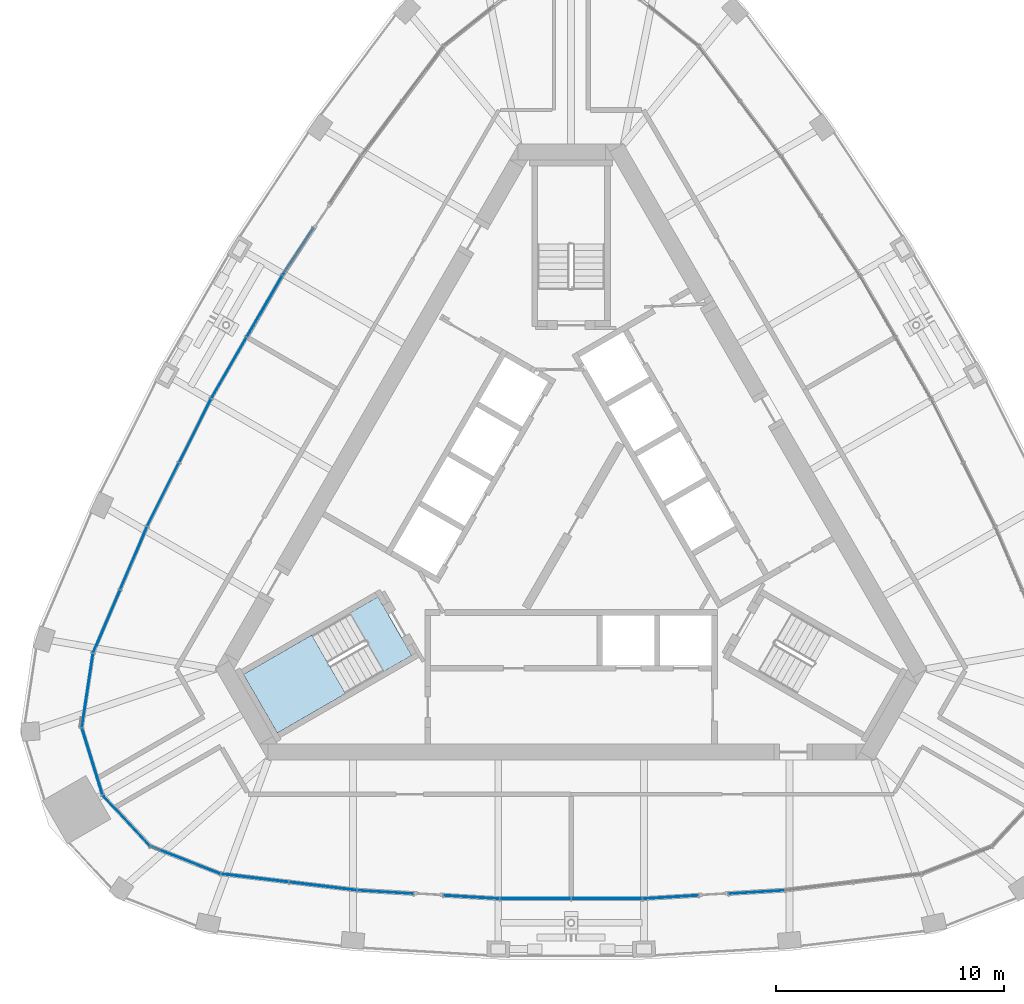
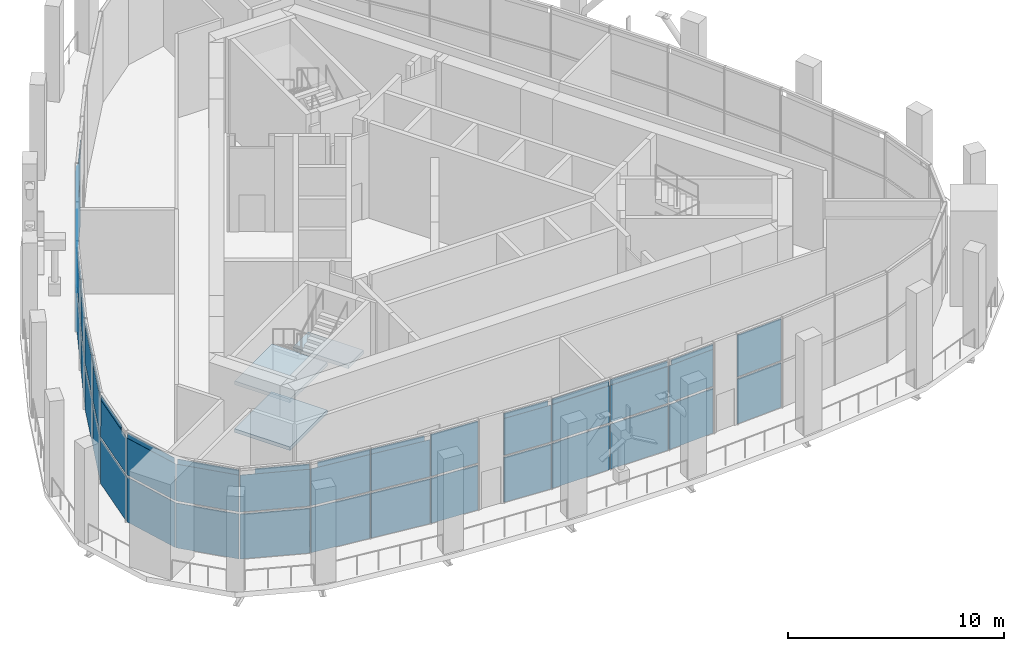
# One storey, part 7 of 23: 53 plates, 3 slabs, 4 elements without a shape of their own.
"""IFC4 building model written with IfcOpenShell, lengths in metres."""

from ifc_helpers import new_model, si_unit, direction, frame, origin, origin_2d, place, context, subcontext, project, spatial, polyline, rectangle, outline, extrude, material, layer, layer_set, type_object, element, aggregate, save


model = new_model("IFC4")

# Units and contexts
model_context = context("Model", 3, precision=1e-05, world=origin(), true_north=direction((0.0, 1.0)))
body_context = subcontext(model_context, "Body", "Model", "MODEL_VIEW")
ifc_project = project(units=[si_unit("LENGTHUNIT", "METRE"), si_unit("AREAUNIT", "SQUARE_METRE"), si_unit("VOLUMEUNIT", "CUBIC_METRE"), si_unit("PLANEANGLEUNIT", "RADIAN"), si_unit("MASSUNIT", "GRAM", prefix="KILO")], contexts=[model_context])

# Site, building, storey
site_placement = place(None, origin())
site = spatial("IfcSite", under=ifc_project, at=site_placement, CompositionType="ELEMENT")
building_placement = place(site_placement, origin())
building = spatial("IfcBuilding", under=site, at=building_placement, Name="Mestral Congress Tower", CompositionType="ELEMENT")
storey_placement = place(building_placement, frame((0.0, 0.0, 261.60009765625)))
storey = spatial("IfcBuildingStorey", under=building, at=storey_placement, Name="L61", CompositionType="ELEMENT", Elevation=261.60009765625)

# Stair, slabs
ifc_material_1 = material(Name="Concrete C60/75", Category="concrete")
stair_type = type_object("IfcStairType", Name="Exit stair 1400", PredefinedType="HALF_TURN_STAIR", material=ifc_material_1)
placement = place(storey_placement, origin())
stair = element("IfcStair", 1, at=placement, inside=storey, type_object=stair_type, Name="L61 ST3", PredefinedType="HALF_TURN_STAIR")
ifc_layer_1 = layer(ifc_material_1, 0.199951171875)
ifc_layer_set_1 = layer_set([ifc_layer_1], Name="Concrete C60/75")
slab_type = type_object("IfcSlabType", Name="Exit stair landing 200", PredefinedType="LANDING", material=ifc_layer_set_1)
slab_1_placement = place(storey_placement, frame((0.0, 0.0, 1.14990234375)))
slab_1 = element("IfcSlab", 2, at=slab_1_placement, type_object=slab_type, Name="ST3 landing 1", PredefinedType="LANDING", context=body_context, shape_type="SweptSolid", body=[
    extrude(outline(polyline([(-11.39453125, -4.864013671875), (-9.90966796875, -7.43603515625), (-12.906005859375, -9.166015625), (-14.39111328125, -6.593994140625), (-11.39453125, -4.864013671875)])), origin(), (0.0, 0.0, 1.0), 0.199951171875),
])
slab_2_placement = place(storey_placement, frame((0.0, 0.0, 2.5)))
slab_2 = element("IfcSlab", 3, at=slab_2_placement, type_object=slab_type, Name="ST3 landing 2", PredefinedType="LANDING", context=body_context, shape_type="SweptSolid", body=[
    extrude(outline(polyline([(-8.48486328125, -3.18408203125), (-6.999755859375, -5.756103515625), (-8.2294921875, -6.466064453125), (-9.714599609375, -3.89404296875), (-8.48486328125, -3.18408203125)])), origin(), (0.0, 0.0, 1.0), 0.199951171875),
])
slab_3_placement = place(storey_placement, frame((0.0, 0.0, 3.849853515625)))
slab_3 = element("IfcSlab", 4, at=slab_3_placement, type_object=slab_type, Name="ST3 landing 3", PredefinedType="LANDING", context=body_context, shape_type="SweptSolid", body=[
    extrude(outline(polyline([(-11.39453125, -4.864013671875), (-9.90966796875, -7.43603515625), (-12.906005859375, -9.166015625), (-14.39111328125, -6.593994140625), (-11.39453125, -4.864013671875)])), origin(), (0.0, 0.0, 1.0), 0.199951171875),
])
aggregate(stair, [slab_1, slab_2, slab_3])

# Curtain wall, plates
ifc_material_2 = material(Name="Clear low-emissivity double glazing", Category="glass")
curtain_wall_type = type_object("IfcCurtainWallType", Name="Facade control room curtain wall", PredefinedType="USERDEFINED", material=ifc_material_2)
curtain_wall_1 = element("IfcCurtainWall", 5, at=placement, inside=storey, type_object=curtain_wall_type, Name="Facade control room curtain wall face 1", ObjectType="CURTAIN WALL", PredefinedType="USERDEFINED")
ifc_layer_2 = layer(ifc_material_2, 0.028076171875)
ifc_layer_set_2 = layer_set([ifc_layer_2], Name="Clear low-emissivity double glazing")
plate_type = type_object("IfcPlateType", Name="Facade control room curtain wall panel", PredefinedType="CURTAIN_PANEL", material=ifc_layer_set_2)
plate_1_placement = place(storey_placement, frame((-13.897216796875, -15.541015625, 0.0), z_axis=(0.0, 0.0, 1.0), x_axis=(0.992888839122, -0.11904517272, 0.0)))
plate_1 = element("IfcPlate", 6, at=plate_1_placement, type_object=plate_type, Name="Control room glass unit", PredefinedType="CURTAIN_PANEL", context=body_context, shape_type="SweptSolid", body=[
    extrude(rectangle(XDim=2.97607421875, YDim=0.028076171875, at=origin_2d()), origin(), (0.0, 0.0, 1.0), 2.5400390625),
])
plate_2_placement = place(storey_placement, frame((-12.42138671875, -15.73193359375, 2.659912109375), z_axis=(-0.11902529803, -0.992889184943, 0.002011181617), x_axis=(-0.992891192994, 0.11902553875, 0.0)))
plate_2 = element("IfcPlate", 7, at=plate_2_placement, type_object=plate_type, Name="Control room glass unit", PredefinedType="CURTAIN_PANEL", context=body_context, shape_type="SweptSolid", body=[
    extrude(outline(polyline([(0.0, 0.0), (2.9762356095524876, 0.0), (2.9762448018798238, -2.0778850617474993), (9.192327335945715e-06, -2.0778850617474993), (0.0, 0.0)])), origin(), (0.0, 0.0, -1.0), 0.028076171875),
])
plate_3_placement = place(storey_placement, frame((-12.420166015625, -15.72119140625, 5.02978515625), z_axis=(-0.119027658555, -0.992888664472, 0.002125196898), x_axis=(-0.000780787992, -0.002046811999, -0.999997600462)))
plate_3 = element("IfcPlate", 8, at=plate_3_placement, type_object=plate_type, Name="Control room glass unit", PredefinedType="CURTAIN_PANEL", context=body_context, shape_type="SweptSolid", body=[
    extrude(outline(polyline([(0.0, 0.0), (0.2919931766057461, 0.0), (0.293389082458344, -2.6263527903852744), (0.0013965961846270634, -2.6265661355023653), (0.0, 0.0)])), origin(), (0.0, 0.0, -1.0), 0.028076171875),
])
plate_4_placement = place(storey_placement, frame((-10.892578125, -15.9013671875, 0.0), z_axis=(0.0, 0.0, 1.0), x_axis=(0.992888839122, -0.11904517272, 0.0)))
plate_4 = element("IfcPlate", 9, at=plate_4_placement, type_object=plate_type, Name="Control room glass unit", PredefinedType="CURTAIN_PANEL", context=body_context, shape_type="SweptSolid", body=[
    extrude(rectangle(XDim=2.97607421875, YDim=0.028076171875, at=origin_2d()), origin(), (0.0, 0.0, 1.0), 2.5400390625),
])
plate_5_placement = place(storey_placement, frame((-9.4169921875, -16.09228515625, 2.659912109375), z_axis=(-0.119034993052, -0.992888022678, 0.002011181573), x_axis=(-0.992890030727, 0.119035233792, 0.0)))
plate_5 = element("IfcPlate", 10, at=plate_5_placement, type_object=plate_type, Name="Control room glass unit", PredefinedType="CURTAIN_PANEL", context=body_context, shape_type="SweptSolid", body=[
    extrude(outline(polyline([(0.0, 0.0), (2.9759932046179456, 0.0), (2.976002437751005, -2.0778850617473186), (9.233133059180683e-06, -2.0778850617473186), (0.0, 0.0)])), origin(), (0.0, 0.0, -1.0), 0.028076171875),
])
plate_6_placement = place(storey_placement, frame((-12.370849609375, -15.729736328125, 4.73779296875), z_axis=(-0.119066373006, -0.992884022598, 0.00212520338), x_axis=(5.5349385e-05, 0.002133792306, 0.999997721931)))
plate_6 = element("IfcPlate", 11, at=plate_6_placement, type_object=plate_type, Name="Control room glass unit", PredefinedType="CURTAIN_PANEL", context=body_context, shape_type="SweptSolid", body=[
    extrude(outline(polyline([(0.0, 0.0), (0.29199256421237285, -6.776263578034403e-21), (0.29145617184705835, -2.6954278767955633), (-0.0005369268237353261, -2.6952145418160494), (0.0, 0.0)])), origin(), (0.0, 0.0, -1.0), 0.028076171875),
])
plate_7_placement = place(storey_placement, frame((-8.150634765625, -16.155517578125, 0.0), z_axis=(0.0, 0.0, 1.0), x_axis=(0.998220626696, -0.059628688056, 0.0)))
plate_7 = element("IfcPlate", 12, at=plate_7_placement, type_object=plate_type, Name="Control room glass unit", PredefinedType="CURTAIN_PANEL", context=body_context, shape_type="SweptSolid", body=[
    extrude(rectangle(XDim=2.433837890625, YDim=0.028076171875, at=origin_2d()), origin(), (0.0, 0.0, 1.0), 2.5400390625),
])
plate_8_placement = place(storey_placement, frame((-8.150634765625, -16.155517578125, 2.659912109375), z_axis=(0.0, 0.0, 1.0), x_axis=(0.998220626696, -0.059628688056, 0.0)))
plate_8 = element("IfcPlate", 13, at=plate_8_placement, type_object=plate_type, Name="Control room glass unit", PredefinedType="CURTAIN_PANEL", context=body_context, shape_type="SweptSolid", body=[
    extrude(rectangle(XDim=2.433837890625, YDim=0.028076171875, at=origin_2d()), origin(), (0.0, 0.0, 1.0), 2.3701171875),
])
plate_9_placement = place(storey_placement, frame((-4.37353515625, -16.381103515625, 0.0), z_axis=(0.0, 0.0, 1.0), x_axis=(0.998220626696, -0.059628688056, 0.0)))
plate_9 = element("IfcPlate", 14, at=plate_9_placement, type_object=plate_type, Name="Control room glass unit", PredefinedType="CURTAIN_PANEL", context=body_context, shape_type="SweptSolid", body=[
    extrude(rectangle(XDim=2.433837890625, YDim=0.028076171875, at=origin_2d()), origin(), (0.0, 0.0, 1.0), 2.5400390625),
])
plate_10_placement = place(storey_placement, frame((-3.15966796875, -16.467529296875, 2.659912109375), z_axis=(-0.059586309344, -0.998221151993, 0.002000863106), x_axis=(-0.998223150164, 0.05958642862, 0.0)))
plate_10 = element("IfcPlate", 15, at=plate_10_placement, type_object=plate_type, Name="Control room glass unit", PredefinedType="CURTAIN_PANEL", context=body_context, shape_type="SweptSolid", body=[
    extrude(outline(polyline([(0.0, 0.0), (2.4337677992888422, 5.421010862427522e-20), (2.433771399419794, -2.077885018736844), (3.6001309510885766e-06, -2.077885018736844), (0.0, 0.0)])), origin(), (0.0, 0.0, -1.0), 0.028076171875),
])
plate_11_placement = place(storey_placement, frame((-5.588623046875, -16.314208984375, 4.73779296875), z_axis=(-0.05960796146, -0.998220468877, 0.001669264998), x_axis=(0.0, 0.001672238465, 0.999998601808)))
plate_11 = element("IfcPlate", 16, at=plate_11_placement, type_object=plate_type, Name="Control room glass unit", PredefinedType="CURTAIN_PANEL", context=body_context, shape_type="SweptSolid", body=[
    extrude(outline(polyline([(0.0, 0.0), (0.29199259576162934, -3.3881317890172014e-21), (0.2917639694090524, -2.293629164501977), (-0.00022862635257688292, -2.293629164501977), (0.0, 0.0)])), origin(), (0.0, 0.0, -1.0), 0.028076171875),
])
plate_12_placement = place(storey_placement, frame((-1.56689453125, -16.455078125, 0.0), z_axis=(0.0, 0.0, 1.0), x_axis=(1.0, 0.0, 0.0)))
plate_12 = element("IfcPlate", 17, at=plate_12_placement, type_object=plate_type, Name="Control room glass unit", PredefinedType="CURTAIN_PANEL", context=body_context, shape_type="SweptSolid", body=[
    extrude(rectangle(XDim=3.083984375, YDim=0.028076171875, at=origin_2d()), origin(), (0.0, 0.0, 1.0), 2.5400390625),
])
plate_13_placement = place(storey_placement, frame((-0.02490234375, -16.468994140625, 2.659912109375), z_axis=(0.0, -0.999998005172, 0.001997411125), x_axis=(-1.0, 0.0, 0.0)))
plate_13 = element("IfcPlate", 18, at=plate_13_placement, type_object=plate_type, Name="Control room glass unit", PredefinedType="CURTAIN_PANEL", context=body_context, shape_type="SweptSolid", body=[
    extrude(outline(polyline([(0.0, 0.0), (3.083984375, 0.0), (3.083984375, -2.0778850043973387), (0.0, -2.0778850043973387), (0.0, 0.0)])), origin(), (0.0, 0.0, -1.0), 0.028076171875),
])
plate_14_placement = place(storey_placement, frame((-0.02490234375, -16.434326171875, 5.02978515625), z_axis=(0.0, -0.999998601808, 0.001672238465), x_axis=(0.0, -0.001672238465, -0.999998601808)))
plate_14 = element("IfcPlate", 19, at=plate_14_placement, type_object=plate_type, Name="Control room glass unit", PredefinedType="CURTAIN_PANEL", context=body_context, shape_type="SweptSolid", body=[
    extrude(outline(polyline([(0.0, 0.0), (0.29199259576162934, 0.0), (0.29199259576162934, -3.072509765625), (0.0, -3.072509765625), (0.0, 0.0)])), origin(), (0.0, 0.0, -1.0), 0.028076171875),
])
plate_15_placement = place(storey_placement, frame((1.56689453125, -16.455078125, 0.0), z_axis=(0.0, 0.0, 1.0), x_axis=(1.0, 0.0, 0.0)))
plate_15 = element("IfcPlate", 20, at=plate_15_placement, type_object=plate_type, Name="Control room glass unit", PredefinedType="CURTAIN_PANEL", context=body_context, shape_type="SweptSolid", body=[
    extrude(rectangle(XDim=3.083984375, YDim=0.028076171875, at=origin_2d()), origin(), (0.0, 0.0, 1.0), 2.5400390625),
])
plate_16_placement = place(storey_placement, frame((3.10888671875, -16.468994140625, 2.659912109375), z_axis=(0.0, -0.999998005172, 0.001997411125), x_axis=(-1.0, 0.0, 0.0)))
plate_16 = element("IfcPlate", 21, at=plate_16_placement, type_object=plate_type, Name="Control room glass unit", PredefinedType="CURTAIN_PANEL", context=body_context, shape_type="SweptSolid", body=[
    extrude(outline(polyline([(0.0, 0.0), (3.083984375, 0.0), (3.083984375, -2.0778850043973387), (0.0, -2.0778850043973387), (0.0, 0.0)])), origin(), (0.0, 0.0, -1.0), 0.028076171875),
])
plate_17_placement = place(storey_placement, frame((0.02490234375, -16.434814453125, 4.73779296875), z_axis=(0.0, -0.999998601808, 0.001672238465), x_axis=(0.0, 0.001672238465, 0.999998601808)))
plate_17 = element("IfcPlate", 22, at=plate_17_placement, type_object=plate_type, Name="Control room glass unit", PredefinedType="CURTAIN_PANEL", context=body_context, shape_type="SweptSolid", body=[
    extrude(outline(polyline([(0.0, 0.0), (0.29199259576162934, 0.0), (0.29199259576162934, -3.072509765625), (0.0, -3.072509765625), (0.0, 0.0)])), origin(), (0.0, 0.0, -1.0), 0.028076171875),
])
plate_18_placement = place(storey_placement, frame((4.37353515625, -16.381103515625, 0.0), z_axis=(0.0, 0.0, 1.0), x_axis=(0.998220626696, 0.059628688056, 0.0)))
plate_18 = element("IfcPlate", 23, at=plate_18_placement, type_object=plate_type, Name="Control room glass unit", PredefinedType="CURTAIN_PANEL", context=body_context, shape_type="SweptSolid", body=[
    extrude(rectangle(XDim=2.433837890625, YDim=0.028076171875, at=origin_2d()), origin(), (0.0, 0.0, 1.0), 2.5400390625),
])
plate_19_placement = place(storey_placement, frame((5.589111328125, -16.322509765625, 2.659912109375), z_axis=(0.059583326554, -0.998221337048, 0.001997362753), x_axis=(-0.998223328235, -0.059583445419, -5.969e-09)))
plate_19 = element("IfcPlate", 24, at=plate_19_placement, type_object=plate_type, Name="Control room glass unit", PredefinedType="CURTAIN_PANEL", context=body_context, shape_type="SweptSolid", body=[
    extrude(outline(polyline([(0.0, 0.0), (2.4337677992779745, -5.421010862427522e-20), (2.4337641991687597, -2.0778850187241145), (-0.00024730697645936224, -2.077884989667544), (0.0, 0.0)])), origin(), (0.0, 0.0, -1.0), 0.028076171875),
])
plate_20_placement = place(storey_placement, frame((5.5888671875, -16.313720703125, 5.02978515625), z_axis=(0.059601628567, -0.99822084702, 0.00166926563), x_axis=(0.0, -0.001672238465, -0.999998601808)))
plate_20 = element("IfcPlate", 25, at=plate_20_placement, type_object=plate_type, Name="Control room glass unit", PredefinedType="CURTAIN_PANEL", context=body_context, shape_type="SweptSolid", body=[
    extrude(outline(polyline([(0.0, 0.0), (0.29199259576162934, 3.3881317890172014e-21), (0.2922212221142062, -2.293872871058048), (0.00022862635257688292, -2.2938728710580483), (0.0, 0.0)])), origin(), (0.0, 0.0, -1.0), 0.028076171875),
])
plate_21_placement = place(storey_placement, frame((8.15087890625, -16.155517578125, 0.0), z_axis=(0.0, 0.0, 1.0), x_axis=(0.998220626696, 0.059628688056, 0.0)))
plate_21 = element("IfcPlate", 26, at=plate_21_placement, type_object=plate_type, Name="Control room glass unit", PredefinedType="CURTAIN_PANEL", context=body_context, shape_type="SweptSolid", body=[
    extrude(rectangle(XDim=2.433837890625, YDim=0.028076171875, at=origin_2d()), origin(), (0.0, 0.0, 1.0), 2.5400390625),
])
plate_22_placement = place(storey_placement, frame((8.15087890625, -16.155517578125, 2.659912109375), z_axis=(0.0, 0.0, 1.0), x_axis=(0.998220626696, 0.059628688056, 0.0)))
plate_22 = element("IfcPlate", 27, at=plate_22_placement, type_object=plate_type, Name="Control room glass unit", PredefinedType="CURTAIN_PANEL", context=body_context, shape_type="SweptSolid", body=[
    extrude(rectangle(XDim=2.433837890625, YDim=0.028076171875, at=origin_2d()), origin(), (0.0, 0.0, 1.0), 2.3701171875),
])
aggregate(curtain_wall_1, [plate_1, plate_2, plate_3, plate_4, plate_5, plate_6, plate_7, plate_8, plate_9, plate_10, plate_11, plate_12, plate_13, plate_14, plate_15, plate_16, plate_17, plate_18, plate_19, plate_20, plate_21, plate_22])

curtain_wall_2 = element("IfcCurtainWall", 28, at=placement, inside=storey, type_object=curtain_wall_type, Name="Facade control room curtain wall face 3", ObjectType="CURTAIN WALL", PredefinedType="USERDEFINED")
plate_23_placement = place(storey_placement, frame((-11.999755859375, 11.978271484375, 0.0), z_axis=(0.0, 0.0, 1.0), x_axis=(-0.550750271998, -0.834670077272, 0.0)))
plate_23 = element("IfcPlate", 29, at=plate_23_placement, type_object=plate_type, Name="Control room glass unit", PredefinedType="CURTAIN_PANEL", context=body_context, shape_type="SweptSolid", body=[
    extrude(rectangle(XDim=2.433837890625, YDim=0.028076171875, at=origin_2d()), origin(), (0.0, 0.0, 1.0), 2.5400390625),
])
plate_24_placement = place(storey_placement, frame((-12.681396484375, 10.97021484375, 2.659912109375), z_axis=(-0.834670332098, 0.550745999084, 0.00206910819), x_axis=(0.550747177868, 0.834672118901, -8.662e-08)))
plate_24 = element("IfcPlate", 30, at=plate_24_placement, type_object=plate_type, Name="Control room glass unit", PredefinedType="CURTAIN_PANEL", context=body_context, shape_type="SweptSolid", body=[
    extrude(outline(polyline([(0.0, 0.0), (2.433815602507141, 0.0), (2.4337945451956533, -2.0778855181269904), (-0.00015551707170986763, -2.0778850964779125), (0.0, 0.0)])), origin(), (0.0, 0.0, -1.0), 0.028076171875),
])
plate_25_placement = place(storey_placement, frame((-13.46728515625, 9.584716796875, 0.0), z_axis=(0.0, 0.0, 1.0), x_axis=(-0.5, -0.866025403784, 0.0)))
plate_25 = element("IfcPlate", 31, at=plate_25_placement, type_object=plate_type, Name="Control room glass unit", PredefinedType="CURTAIN_PANEL", context=body_context, shape_type="SweptSolid", body=[
    extrude(rectangle(XDim=3.083984375, YDim=0.028076171875, at=origin_2d()), origin(), (0.0, 0.0, 1.0), 2.5400390625),
])
plate_26_placement = place(storey_placement, frame((-14.25, 8.256103515625, 2.659912109375), z_axis=(-0.866038224447, 0.499973893368, 0.001974777623), x_axis=(0.499974868074, 0.866039913223, -1.06777e-07)))
plate_26 = element("IfcPlate", 32, at=plate_26_placement, type_object=plate_type, Name="Control room glass unit", PredefinedType="CURTAIN_PANEL", context=body_context, shape_type="SweptSolid", body=[
    extrude(outline(polyline([(0.0, 0.0), (3.0839399273781933, 0.0), (3.0838677484291623, -2.0778852402775008), (1.7192399882677932e-05, -2.0778845816992937), (0.0, 0.0)])), origin(), (0.0, 0.0, -1.0), 0.028076171875),
])
plate_27_placement = place(storey_placement, frame((-14.239013671875, 8.249755859375, 5.02978515625), z_axis=(-0.866042495169, 0.499966912525, 0.001866264133), x_axis=(-0.00167223788, 0.00083611894, -0.999998252261)))
plate_27 = element("IfcPlate", 33, at=plate_27_placement, type_object=plate_type, Name="Control room glass unit", PredefinedType="CURTAIN_PANEL", context=body_context, shape_type="SweptSolid", body=[
    extrude(outline(polyline([(0.0, 0.0), (0.2919926978269475, -3.3881317890172014e-20), (0.29164873776495287, -3.072463575608886), (-0.00034396006199461987, -3.072463575608886), (0.0, 0.0)])), origin(), (0.0, 0.0, -1.0), 0.028076171875),
])
plate_28_placement = place(storey_placement, frame((-15.0341796875, 6.87060546875, 0.0), z_axis=(0.0, 0.0, 1.0), x_axis=(-0.5, -0.866025403784, 0.0)))
plate_28 = element("IfcPlate", 34, at=plate_28_placement, type_object=plate_type, Name="Control room glass unit", PredefinedType="CURTAIN_PANEL", context=body_context, shape_type="SweptSolid", body=[
    extrude(rectangle(XDim=3.083984375, YDim=0.028076171875, at=origin_2d()), origin(), (0.0, 0.0, 1.0), 2.5400390625),
])
plate_29_placement = place(storey_placement, frame((-15.817138671875, 5.542236328125, 2.659912109375), z_axis=(-0.866011048578, 0.50002064017, 0.002055028961), x_axis=(0.500021696003, 0.866012877229, 0.0)))
plate_29 = element("IfcPlate", 35, at=plate_29_placement, type_object=plate_type, Name="Control room glass unit", PredefinedType="CURTAIN_PANEL", context=body_context, shape_type="SweptSolid", body=[
    extrude(outline(polyline([(0.0, 0.0), (3.0838505605375786, 4.336808689942018e-19), (3.0837788343522723, -2.077885246983973), (-7.172618530611142e-05, -2.077885246983973), (0.0, 0.0)])), origin(), (0.0, 0.0, -1.0), 0.028076171875),
])
plate_30_placement = place(storey_placement, frame((-14.269775390625, 8.209716796875, 4.73779296875), z_axis=(-0.866008088471, 0.500026507088, 0.001866256425), x_axis=(0.00167223788, -0.00083611894, 0.999998252261)))
plate_30 = element("IfcPlate", 36, at=plate_30_placement, type_object=plate_type, Name="Control room glass unit", PredefinedType="CURTAIN_PANEL", context=body_context, shape_type="SweptSolid", body=[
    extrude(outline(polyline([(0.0, 0.0), (0.2919926978269475, 1.3552527156068805e-20), (0.2916483295037517, -3.0725856452858755), (-0.0003443683231958007, -3.072585645285875), (0.0, 0.0)])), origin(), (0.0, 0.0, -1.0), 0.028076171875),
])
plate_31_placement = place(storey_placement, frame((-16.518798828125, 4.1123046875, 0.0), z_axis=(0.0, 0.0, 1.0), x_axis=(-0.447470354697, -0.894298765328, 0.0)))
plate_31 = element("IfcPlate", 37, at=plate_31_placement, type_object=plate_type, Name="Control room glass unit", PredefinedType="CURTAIN_PANEL", context=body_context, shape_type="SweptSolid", body=[
    extrude(rectangle(XDim=3.083984375, YDim=0.028076171875, at=origin_2d()), origin(), (0.0, 0.0, 1.0), 2.5400390625),
])
plate_32_placement = place(storey_placement, frame((-17.22119140625, 2.739501953125, 2.659912109375), z_axis=(-0.894282860063, 0.447497686483, 0.001996694646), x_axis=(0.447498578651, 0.894284642664, 7.0681e-08)))
plate_32 = element("IfcPlate", 38, at=plate_32_placement, type_object=plate_type, Name="Control room glass unit", PredefinedType="CURTAIN_PANEL", context=body_context, shape_type="SweptSolid", body=[
    extrude(outline(polyline([(0.0, 0.0), (3.0838742159791903, 0.0), (3.083984833104028, -2.077884783445999), (0.000219869707515801, -2.0778852193790383), (0.0, 0.0)])), origin(), (0.0, 0.0, -1.0), 0.028076171875),
])
plate_33_placement = place(storey_placement, frame((-17.215087890625, 2.736572265625, 5.02978515625), z_axis=(-0.894276296916, 0.44751135103, 0.001869618683), x_axis=(-0.00167223788, 0.00083611894, -0.999998252261)))
plate_33 = element("IfcPlate", 39, at=plate_33_placement, type_object=plate_type, Name="Control room glass unit", PredefinedType="CURTAIN_PANEL", context=body_context, shape_type="SweptSolid", body=[
    extrude(outline(polyline([(0.0, 0.0), (0.2919926978269475, -1.7999450129153882e-20), (0.2919908606515422, -2.9437923910237647), (-1.8371754053124294e-06, -2.943792391023765), (0.0, 0.0)])), origin(), (0.0, 0.0, -1.0), 0.028076171875),
])
plate_34_placement = place(storey_placement, frame((-17.921142578125, 1.309814453125, 0.0), z_axis=(0.0, 0.0, 1.0), x_axis=(-0.447470354697, -0.894298765328, 0.0)))
plate_34 = element("IfcPlate", 40, at=plate_34_placement, type_object=plate_type, Name="Control room glass unit", PredefinedType="CURTAIN_PANEL", context=body_context, shape_type="SweptSolid", body=[
    extrude(rectangle(XDim=3.083984375, YDim=0.028076171875, at=origin_2d()), origin(), (0.0, 0.0, 1.0), 2.5400390625),
])
plate_35_placement = place(storey_placement, frame((-17.921142578125, 1.309814453125, 2.659912109375), z_axis=(0.0, 0.0, 1.0), x_axis=(-0.447470354697, -0.894298765328, 0.0)))
plate_35 = element("IfcPlate", 41, at=plate_35_placement, type_object=plate_type, Name="Control room glass unit", PredefinedType="CURTAIN_PANEL", context=body_context, shape_type="SweptSolid", body=[
    extrude(rectangle(XDim=3.083984375, YDim=0.028076171875, at=origin_2d()), origin(), (0.0, 0.0, 1.0), 2.3701171875),
])
plate_36_placement = place(storey_placement, frame((-19.21728515625, -1.482666015625, 0.0), z_axis=(0.0, 0.0, 1.0), x_axis=(-0.393348275787, -0.919389544173, 0.0)))
plate_36 = element("IfcPlate", 42, at=plate_36_placement, type_object=plate_type, Name="Control room glass unit", PredefinedType="CURTAIN_PANEL", context=body_context, shape_type="SweptSolid", body=[
    extrude(rectangle(XDim=2.97607421875, YDim=0.028076171875, at=origin_2d()), origin(), (0.0, 0.0, 1.0), 2.5400390625),
])
plate_37_placement = place(storey_placement, frame((-19.8154296875, -2.84521484375, 2.659912109375), z_axis=(-0.919380550187, 0.393363945583, 0.002051890074), x_axis=(0.393364773666, 0.919382485606, 0.0)))
plate_37 = element("IfcPlate", 43, at=plate_37_placement, type_object=plate_type, Name="Control room glass unit", PredefinedType="CURTAIN_PANEL", context=body_context, shape_type="SweptSolid", body=[
    extrude(outline(polyline([(0.0, 0.0), (2.9760018569122693, 0.0), (2.975967227756855, -2.0778852335907456), (-3.4629155414431124e-05, -2.0778852335907456), (0.0, 0.0)])), origin(), (0.0, 0.0, -1.0), 0.028076171875),
])
plate_38_placement = place(storey_placement, frame((-19.807373046875, -2.848876953125, 5.02978515625), z_axis=(-0.919388494781, 0.393344289516, 0.002250681878), x_axis=(-0.002025613334, 0.000987304457, -0.999997461057)))
plate_38 = element("IfcPlate", 44, at=plate_38_placement, type_object=plate_type, Name="Control room glass unit", PredefinedType="CURTAIN_PANEL", context=body_context, shape_type="SweptSolid", body=[
    extrude(outline(polyline([(0.0, 0.0), (0.2919926762586298, 0.0), (0.29229197487783687, -2.69524463386548), (0.0002988040847018347, -2.695340665484851), (0.0, 0.0)])), origin(), (0.0, 0.0, -1.0), 0.028076171875),
])
plate_39_placement = place(storey_placement, frame((-20.40771484375, -4.264892578125, 0.0), z_axis=(0.0, 0.0, 1.0), x_axis=(-0.393348275787, -0.919389544173, 0.0)))
plate_39 = element("IfcPlate", 45, at=plate_39_placement, type_object=plate_type, Name="Control room glass unit", PredefinedType="CURTAIN_PANEL", context=body_context, shape_type="SweptSolid", body=[
    extrude(rectangle(XDim=2.97607421875, YDim=0.028076171875, at=origin_2d()), origin(), (0.0, 0.0, 1.0), 2.5400390625),
])
plate_40_placement = place(storey_placement, frame((-21.005615234375, -5.62744140625, 2.659912109375), z_axis=(-0.919401872447, 0.393314501668, 0.001974770683), x_axis=(0.393315268501, 0.91940366519, -4.2615e-08)))
plate_40 = element("IfcPlate", 46, at=plate_40_placement, type_object=plate_type, Name="Control room glass unit", PredefinedType="CURTAIN_PANEL", context=body_context, shape_type="SweptSolid", body=[
    extrude(outline(polyline([(0.0, 0.0), (2.9759058283625786, 0.0), (2.9760953448679905, -2.0778850377902516), (-0.00013097151550798555, -2.077884784137936), (0.0, 0.0)])), origin(), (0.0, 0.0, -1.0), 0.028076171875),
])
plate_41_placement = place(storey_placement, frame((-19.822021484375, -2.896728515625, 4.73779296875), z_axis=(-0.91938738446, 0.393345909443, 0.002415123182), x_axis=(0.001874424526, -0.001758739381, 0.999996696679)))
plate_41 = element("IfcPlate", 47, at=plate_41_placement, type_object=plate_type, Name="Control room glass unit", PredefinedType="CURTAIN_PANEL", context=body_context, shape_type="SweptSolid", body=[
    extrude(outline(polyline([(0.0, 0.0), (0.291992996961827, 0.0), (0.29430335885417036, -2.6262243614627634), (0.0023103336488998066, -2.62654485407313), (0.0, 0.0)])), origin(), (0.0, 0.0, -1.0), 0.028076171875),
])
aggregate(curtain_wall_2, [plate_23, plate_24, plate_25, plate_26, plate_27, plate_28, plate_29, plate_30, plate_31, plate_32, plate_33, plate_34, plate_35, plate_36, plate_37, plate_38, plate_39, plate_40, plate_41])

curtain_wall_3 = element("IfcCurtainWall", 48, at=placement, inside=storey, type_object=curtain_wall_type, Name="Facade control room curtain wall corner 3", ObjectType="CURTAIN WALL", PredefinedType="USERDEFINED")
plate_42_placement = place(storey_placement, frame((-21.250244140625, -7.293701171875, 0.0), z_axis=(0.0, 0.0, 1.0), x_axis=(-0.149367947874, -0.988781682753, 0.0)))
plate_42 = element("IfcPlate", 49, at=plate_42_placement, type_object=plate_type, Name="Control room glass unit", PredefinedType="CURTAIN_PANEL", context=body_context, shape_type="SweptSolid", body=[
    extrude(rectangle(XDim=3.2626953125, YDim=0.028076171875, at=origin_2d()), origin(), (0.0, 0.0, 1.0), 2.5400390625),
])
plate_43_placement = place(storey_placement, frame((-21.507568359375, -8.904541015625, 2.659912109375), z_axis=(-0.988781212881, 0.149357295362, 0.002027652744), x_axis=(0.149357602395, 0.988783245513, 0.0)))
plate_43 = element("IfcPlate", 50, at=plate_43_placement, type_object=plate_type, Name="Control room glass unit", PredefinedType="CURTAIN_PANEL", context=body_context, shape_type="SweptSolid", body=[
    extrude(outline(polyline([(0.0, 0.0), (3.262670796041626, 2.168404344971009e-19), (3.26256648195573, -2.0778851308625566), (-0.00010431408589563932, -2.0778851308625566), (0.0, 0.0)])), origin(), (0.0, 0.0, -1.0), 0.028076171875),
])
plate_44_placement = place(storey_placement, frame((-21.00830078125, -5.680419921875, 4.73779296875), z_axis=(-0.988785604305, 0.149326805548, 0.002129287135), x_axis=(0.002161345852, 5.2405232e-05, 0.999997662916)))
plate_44 = element("IfcPlate", 51, at=plate_44_placement, type_object=plate_type, Name="Control room glass unit", PredefinedType="CURTAIN_PANEL", context=body_context, shape_type="SweptSolid", body=[
    extrude(outline(polyline([(0.0, 0.0), (0.2919930881067613, 1.3552527156068805e-20), (0.29102983305232333, -2.5710787834642326), (-0.0009627145878646937, -2.5708009235422282), (0.0, 0.0)])), origin(), (0.0, 0.0, -1.0), 0.028076171875),
])
plate_45_placement = place(storey_placement, frame((-21.0419921875, -10.40869140625, 0.0), z_axis=(0.0, 0.0, 1.0), x_axis=(0.294650816702, -0.955604989636, 0.0)))
plate_45 = element("IfcPlate", 52, at=plate_45_placement, type_object=plate_type, Name="Control room glass unit", PredefinedType="CURTAIN_PANEL", context=body_context, shape_type="SweptSolid", body=[
    extrude(rectangle(XDim=3.04150390625, YDim=0.028076171875, at=origin_2d()), origin(), (0.0, 0.0, 1.0), 2.5400390625),
])
plate_46_placement = place(storey_placement, frame((-20.607421875, -11.865966796875, 2.659912109375), z_axis=(-0.955612861457, -0.294618202341, 0.002043004621), x_axis=(-0.294618817086, 0.955614855796, 5.4199e-08)))
plate_46 = element("IfcPlate", 53, at=plate_46_placement, type_object=plate_type, Name="Control room glass unit", PredefinedType="CURTAIN_PANEL", context=body_context, shape_type="SweptSolid", body=[
    extrude(outline(polyline([(0.0, 0.0), (3.0414662883208474, 2.168404344971009e-19), (3.0417153726353865, -2.0778850309292243), (-5.6148515754489936e-05, -2.077885360637653), (0.0, 0.0)])), origin(), (0.0, 0.0, -1.0), 0.028076171875),
])
plate_47_placement = place(storey_placement, frame((-21.489990234375, -8.955078125, 4.73779296875), z_axis=(-0.955603532482, -0.294644764775, 0.002520178077), x_axis=(0.002626063488, 3.6294007e-05, 0.999996551231)))
plate_47 = element("IfcPlate", 54, at=plate_47_placement, type_object=plate_type, Name="Control room glass unit", PredefinedType="CURTAIN_PANEL", context=body_context, shape_type="SweptSolid", body=[
    extrude(outline(polyline([(0.0, 0.0), (0.2919931038726528, 5.421010862427522e-20), (0.2941897546413642, -2.9720366206743756), (0.002196641907869843, -2.9722699231292027), (0.0, 0.0)])), origin(), (0.0, 0.0, -1.0), 0.028076171875),
])
plate_48_placement = place(storey_placement, frame((-19.53515625, -13.018798828125, 0.0), z_axis=(0.0, 0.0, 1.0), x_axis=(0.680252788656, -0.732977587328, 0.0)))
plate_48 = element("IfcPlate", 55, at=plate_48_placement, type_object=plate_type, Name="Control room glass unit", PredefinedType="CURTAIN_PANEL", context=body_context, shape_type="SweptSolid", body=[
    extrude(rectangle(XDim=3.04150390625, YDim=0.028076171875, at=origin_2d()), origin(), (0.0, 0.0, 1.0), 2.5400390625),
])
plate_49_placement = place(storey_placement, frame((-18.5107421875, -14.142822265625, 2.659912109375), z_axis=(-0.732943541731, -0.68028655308, 0.001992569749), x_axis=(-0.680287903566, 0.732944996751, 0.0)))
plate_49 = element("IfcPlate", 56, at=plate_49_placement, type_object=plate_type, Name="Control room glass unit", PredefinedType="CURTAIN_PANEL", context=body_context, shape_type="SweptSolid", body=[
    extrude(outline(polyline([(0.0, 0.0), (3.04149432325484, 4.336808689942018e-19), (3.041648592082529, -2.07788498432801), (0.00015426882768919859, -2.07788498432801), (0.0, 0.0)])), origin(), (0.0, 0.0, -1.0), 0.028076171875),
])
plate_50_placement = place(storey_placement, frame((-18.5029296875, -14.135498046875, 5.02978515625), z_axis=(-0.732981588446, -0.680244372288, 0.002363254115), x_axis=(-0.001672236126, -0.001672236126, -0.999997203622)))
plate_50 = element("IfcPlate", 57, at=plate_50_placement, type_object=plate_type, Name="Control room glass unit", PredefinedType="CURTAIN_PANEL", context=body_context, shape_type="SweptSolid", body=[
    extrude(outline(polyline([(0.0, 0.0), (0.2919930040226878, -6.776263578034403e-21), (0.29173090060638246, -2.9720537860677902), (-0.00026210341630532666, -2.9720537860677907), (0.0, 0.0)])), origin(), (0.0, 0.0, -1.0), 0.028076171875),
])
plate_51_placement = place(storey_placement, frame((-16.941650390625, -14.75634765625, 0.0), z_axis=(0.0, 0.0, 1.0), x_axis=(0.930994029998, -0.365034404006, 0.0)))
plate_51 = element("IfcPlate", 58, at=plate_51_placement, type_object=plate_type, Name="Control room glass unit", PredefinedType="CURTAIN_PANEL", context=body_context, shape_type="SweptSolid", body=[
    extrude(rectangle(XDim=3.2626953125, YDim=0.028076171875, at=origin_2d()), origin(), (0.0, 0.0, 1.0), 2.5400390625),
])
plate_52_placement = place(storey_placement, frame((-15.427978515625, -15.36474609375, 2.659912109375), z_axis=(-0.365020648752, -0.930997212269, 0.002028973048), x_axis=(-0.930999128587, 0.365021400153, 2.7711e-08)))
plate_52 = element("IfcPlate", 59, at=plate_52_placement, type_object=plate_type, Name="Control room glass unit", PredefinedType="CURTAIN_PANEL", context=body_context, shape_type="SweptSolid", body=[
    extrude(outline(polyline([(0.0, 0.0), (3.2624840206789893, 0.0), (3.2625461748491467, -2.077885046017871), (-0.00016514053897019474, -2.0778852268392534), (0.0, 0.0)])), origin(), (0.0, 0.0, -1.0), 0.028076171875),
])
plate_53_placement = place(storey_placement, frame((-15.424560546875, -15.356689453125, 5.02978515625), z_axis=(-0.365028798621, -0.930994365681, 0.001862054791), x_axis=(-0.00083611894, -0.00167223788, -0.999998252261)))
plate_53 = element("IfcPlate", 60, at=plate_53_placement, type_object=plate_type, Name="Control room glass unit", PredefinedType="CURTAIN_PANEL", context=body_context, shape_type="SweptSolid", body=[
    extrude(outline(polyline([(0.0, 0.0), (0.2919926978269475, 0.0), (0.2924246381777965, -2.570961320954202), (0.0004319403508490304, -2.570961320954202), (0.0, 0.0)])), origin(), (0.0, 0.0, -1.0), 0.028076171875),
])
aggregate(curtain_wall_3, [plate_42, plate_43, plate_44, plate_45, plate_46, plate_47, plate_48, plate_49, plate_50, plate_51, plate_52, plate_53])

save(model, "model.ifc")
